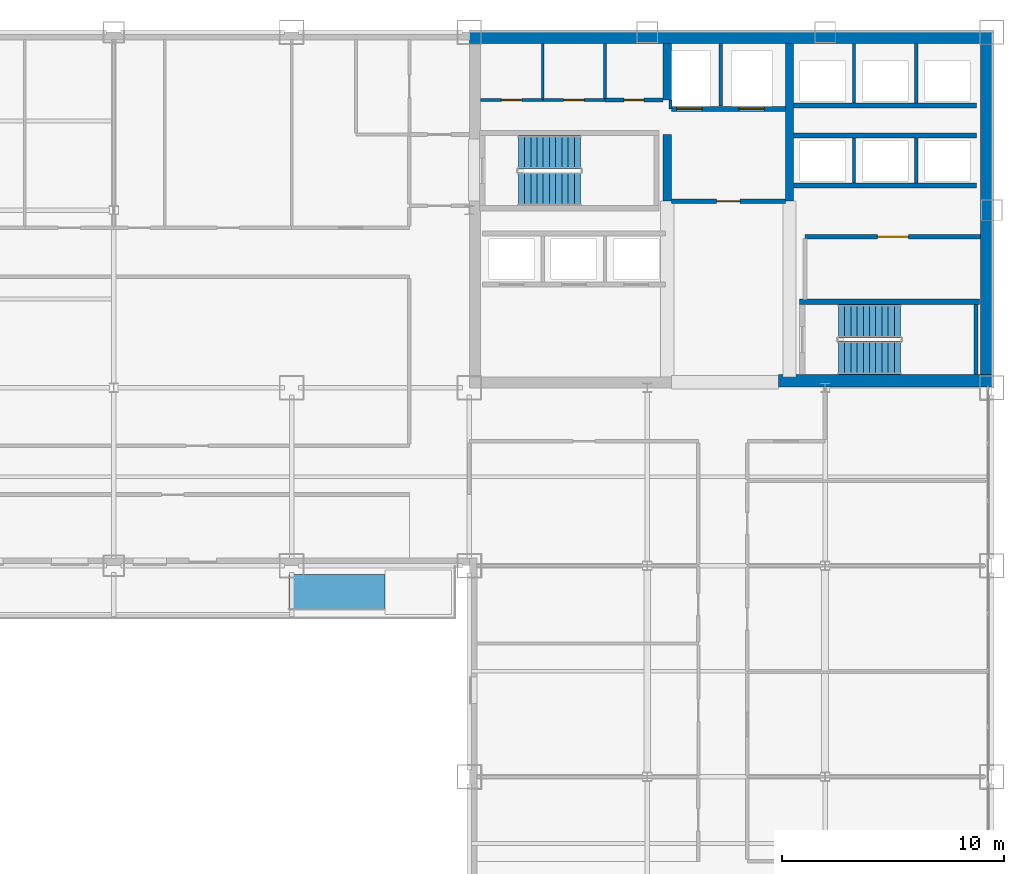
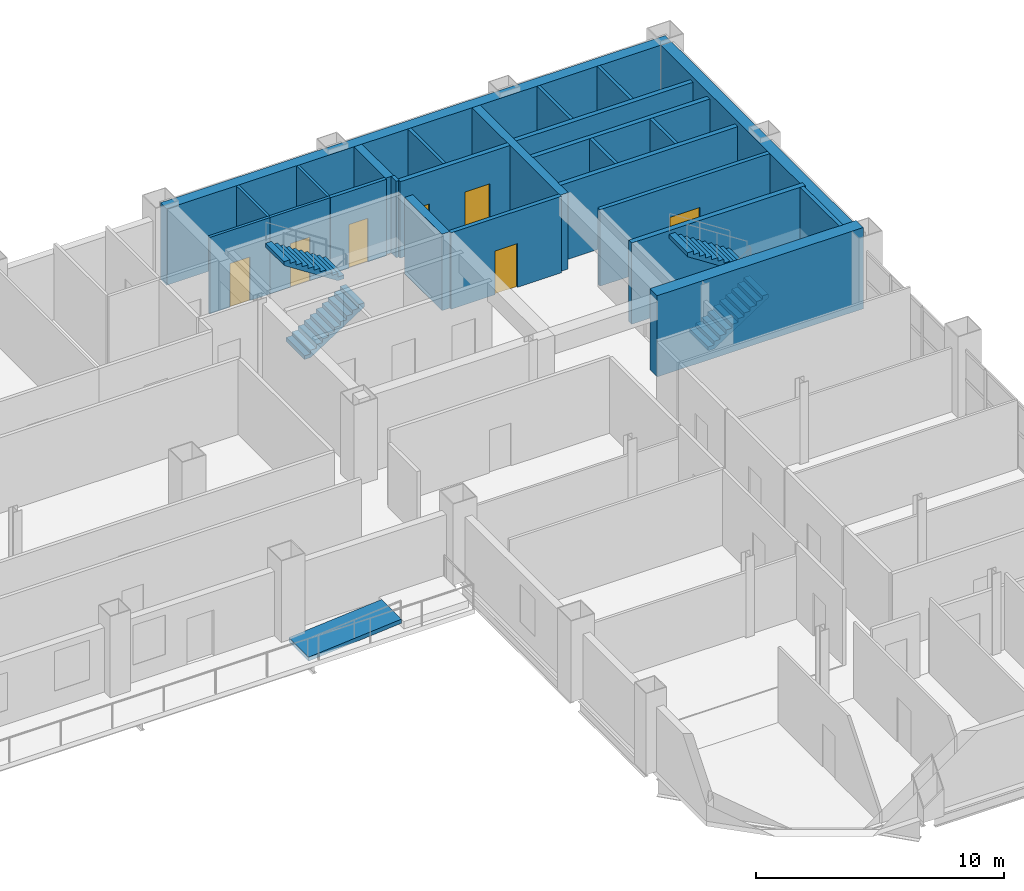
# One storey, part 14 of 16: 25 walls, 7 doors, 4 stair flights, 1 ramp flight, 7 openings, 3 elements without a shape of their own.
"""IFC4 building model written with IfcOpenShell, lengths in metres."""

from ifc_helpers import new_model, si_unit, direction, frame, frame_2d, origin, place, context, subcontext, project, spatial, polyline, rectangle, outline, extrude, material, layer, layer_set, type_object, element, fill, aggregate, save


model = new_model("IFC4")

# Units and contexts
model_context = context("Model", 3, precision=1e-05, world=origin(), true_north=direction((0.0, 1.0)))
body_context = subcontext(model_context, "Body", "Model", "MODEL_VIEW")
ifc_project = project(units=[si_unit("LENGTHUNIT", "METRE"), si_unit("AREAUNIT", "SQUARE_METRE"), si_unit("VOLUMEUNIT", "CUBIC_METRE"), si_unit("PLANEANGLEUNIT", "RADIAN"), si_unit("MASSUNIT", "GRAM", prefix="KILO")], contexts=[model_context])

# Site, building, storey
site_placement = place(None, origin())
site = spatial("IfcSite", under=ifc_project, at=site_placement, CompositionType="ELEMENT")
building_placement = place(site_placement, origin())
building = spatial("IfcBuilding", under=site, at=building_placement, Name="Qianrong Seaharbour Tower", CompositionType="ELEMENT")
storey_placement = place(building_placement, frame((0.0, 0.0, 123.0)))
storey = spatial("IfcBuildingStorey", under=building, at=storey_placement, Name="L29", CompositionType="ELEMENT", Elevation=123.0)

# Walls
ifc_material_1 = material(Name="Concrete C60/75", Category="concrete")
ifc_layer_1 = layer(ifc_material_1, 0.5)
ifc_layer_set_1 = layer_set([ifc_layer_1], Name="Concrete C60/75")
wall_type_1 = type_object("IfcWallType", Name="WALL-CORE-500", PredefinedType="SHEAR", material=ifc_layer_set_1)
wall_1_placement = place(storey_placement, frame((40.5, 51.75, 0.0), z_axis=(0.0, 0.0, 1.0), x_axis=(1.0, 0.0, 0.0)))
element("IfcWall", 1, at=wall_1_placement, inside=storey, type_object=wall_type_1, Name="L29 North Core Shear Wall", PredefinedType="SHEAR", context=body_context, shape_type="SweptSolid", body=[
    extrude(rectangle(XDim=23.5, YDim=0.5, at=frame_2d((11.75, 0.0))), origin(), (0.0, 0.0, 1.0), 3.764892578125),
])
wall_2_placement = place(storey_placement, frame((63.75, 36.320068359375, 0.0), z_axis=(0.0, 0.0, 1.0), x_axis=(0.0, 1.0, 0.0)))
element("IfcWall", 2, at=wall_2_placement, inside=storey, type_object=wall_type_1, Name="L29 East Core Shear Wall", PredefinedType="SHEAR", context=body_context, shape_type="SweptSolid", body=[
    extrude(rectangle(XDim=15.179931640625, YDim=0.5, at=frame_2d((7.58984375, 0.0))), origin(), (0.0, 0.0, 1.0), 3.764892578125),
])
ifc_material_2 = material(Name="Concrete C70/85", Category="concrete")
ifc_layer_2 = layer(ifc_material_2, 0.580078125)
ifc_layer_set_2 = layer_set([ifc_layer_2], Name="Concrete C70/85")
wall_type_2 = type_object("IfcWallType", Name="WALL-CORE-580", PredefinedType="SHEAR", material=ifc_layer_set_2)
wall_3_placement = place(storey_placement, frame((54.39990234375, 36.320068359375, 0.0), z_axis=(0.0, 0.0, 1.0), x_axis=(1.0, 0.0, 0.0)))
element("IfcWall", 3, at=wall_3_placement, inside=storey, type_object=wall_type_2, Name="L29 South Core Shear Wall S3", PredefinedType="SHEAR", context=body_context, shape_type="SweptSolid", body=[
    extrude(rectangle(XDim=9.60009765625, YDim=0.580078125, at=frame_2d((4.800048828125, 0.0))), origin(), (0.0, 0.0, 1.0), 4.0),
])
ifc_layer_3 = layer(ifc_material_1, 0.3798828125)
ifc_layer_set_3 = layer_set([ifc_layer_3], Name="Concrete C60/75")
wall_type_3 = type_object("IfcWallType", Name="WALL-CORE-INT-380", PredefinedType="SHEAR", material=ifc_layer_set_3)
wall_4_placement = place(storey_placement, frame((49.39990234375, 44.39990234375, 0.0), z_axis=(0.0, 0.0, 1.0), x_axis=(0.0, 1.0, 0.0)))
element("IfcWall", 4, at=wall_4_placement, inside=storey, type_object=wall_type_3, Name="L29 Internal Core Shear Wall IW1N1", PredefinedType="SHEAR", context=body_context, shape_type="SweptSolid", body=[
    extrude(rectangle(XDim=3.0, YDim=0.3798828125, at=frame_2d((1.5, 0.0))), origin(), (0.0, 0.0, 1.0), 3.764892578125),
])
wall_5_placement = place(storey_placement, frame((49.39990234375, 48.949951171875, 0.0), z_axis=(0.0, 0.0, 1.0), x_axis=(0.0, 1.0, 0.0)))
element("IfcWall", 5, at=wall_5_placement, inside=storey, type_object=wall_type_3, Name="L29 Internal Core Shear Wall IW1N2", PredefinedType="SHEAR", context=body_context, shape_type="SweptSolid", body=[
    extrude(rectangle(XDim=2.550048828125, YDim=0.3798828125, at=frame_2d((1.27490234375, 0.0))), origin(), (0.0, 0.0, 1.0), 3.764892578125),
])
wall_6_placement = place(storey_placement, frame((54.89990234375, 44.39990234375, 0.0), z_axis=(0.0, 0.0, 1.0), x_axis=(0.0, 1.0, 0.0)))
element("IfcWall", 6, at=wall_6_placement, inside=storey, type_object=wall_type_3, Name="L29 Internal Core Shear Wall IW2N", PredefinedType="SHEAR", context=body_context, shape_type="SweptSolid", body=[
    extrude(rectangle(XDim=7.10009765625, YDim=0.3798828125, at=frame_2d((3.550048828125, 0.0))), origin(), (0.0, 0.0, 1.0), 3.764892578125),
])

# Wall, opening, door
ifc_material_3 = material(Name="Fire-rated acoustic gypsum board partition")
ifc_layer_4 = layer(ifc_material_3, 0.1650390625)
ifc_layer_set_4 = layer_set([ifc_layer_4], Name="Fire-rated acoustic gypsum board partition")
wall_type_4 = type_object("IfcWallType", Name="WALL-CORR-PART-165", PredefinedType="PARTITIONING", material=ifc_layer_set_4)
wall_7_placement = place(storey_placement, frame((46.60009765625, 48.949951171875, 0.0), z_axis=(0.0, 0.0, 1.0), x_axis=(1.0, 0.0, 0.0)))
wall_7 = element("IfcWall", 7, at=wall_7_placement, inside=storey, type_object=wall_type_4, Name="L29 Interior Partition Wall 009", PredefinedType="PARTITIONING", context=body_context, shape_type="SweptSolid", body=[
    extrude(rectangle(XDim=2.617919921875, YDim=0.1650390625, at=frame_2d((1.30908203125, 0.0))), origin(), (0.0, 0.0, 1.0), 3.764892578125),
])
opening_1_placement = place(wall_7_placement, frame((0.85888671875, 0.0, 0.0)))
opening_1 = element("IfcOpeningElement", 8, at=opening_1_placement, cuts=wall_7, Name="Opening DS-01", PredefinedType="OPENING", context=body_context, shape_type="SweptSolid", body=[
    extrude(rectangle(XDim=0.89990234375, YDim=2.14990234375, at=frame_2d((0.449951171875, 1.074951171875))), frame((0.0, 0.092529296875, 0.0), z_axis=(0.0, -1.0, 0.0), x_axis=(1.0, 0.0, 0.0)), (0.0, 0.0, 1.0), 0.18505859375),
])
ifc_material_4 = material(Name="Acoustic timber and galvanized steel fire door assembly", Category="steel")
door_type_1 = type_object("IfcDoorType", Name="DOOR-STORE-900x2150", OperationType="NOTDEFINED", PredefinedType="DOOR", material=ifc_material_4)
door_1_placement = place(opening_1_placement, origin())
door_1 = element("IfcDoor", 9, at=door_1_placement, inside=storey, type_object=door_type_1, Name="L29 Cleaner Store Room Door", OperationType="SINGLE_SWING_LEFT", OverallHeight=2.14990234375, OverallWidth=0.89990234375, PredefinedType="DOOR", context=body_context, shape_type="SweptSolid", body=[
    extrude(rectangle(XDim=0.89990234375, YDim=2.14990234375, at=frame_2d((0.449951171875, 1.074951171875))), frame((0.0, 0.02490234375, 0.0), z_axis=(0.0, -1.0, 0.0), x_axis=(1.0, 0.0, 0.0)), (0.0, 0.0, 1.0), 0.050048828125),
])
fill(opening_1, door_1)

ifc_material_5 = material(Name="Double fire-rated gypsum board acoustic partition")
ifc_layer_5 = layer(ifc_material_5, 0.18994140625)
ifc_layer_set_5 = layer_set([ifc_layer_5], Name="Double fire-rated gypsum board acoustic partition")
wall_type_5 = type_object("IfcWallType", Name="WALL-FIRE-PART-190", PredefinedType="PARTITIONING", material=ifc_layer_set_5)
wall_8_placement = place(storey_placement, frame((54.718017578125, 44.39990234375, 0.0), z_axis=(0.0, 0.0, 1.0), x_axis=(-1.0, 0.0, 0.0)))
wall_8 = element("IfcWall", 10, at=wall_8_placement, inside=storey, type_object=wall_type_5, Name="L29 Interior Partition Wall 010", PredefinedType="PARTITIONING", context=body_context, shape_type="SweptSolid", body=[
    extrude(rectangle(XDim=5.135986328125, YDim=0.18994140625, at=frame_2d((2.56787109375, 0.0))), origin(), (0.0, 0.0, 1.0), 3.764892578125),
])
opening_2_placement = place(wall_8_placement, frame((2.04296875, 0.0, 0.0)))
opening_2 = element("IfcOpeningElement", 11, at=opening_2_placement, cuts=wall_8, Name="Opening DC-01", PredefinedType="OPENING", context=body_context, shape_type="SweptSolid", body=[
    extrude(rectangle(XDim=1.050048828125, YDim=2.14990234375, at=frame_2d((0.52490234375, 1.074951171875))), frame((0.0, 0.10498046875, 0.0), z_axis=(0.0, -1.0, 0.0), x_axis=(1.0, 0.0, 0.0)), (0.0, 0.0, 1.0), 0.2099609375),
])
door_type_2 = type_object("IfcDoorType", Name="DOOR-CORR-FD60-1050x2150", OperationType="NOTDEFINED", PredefinedType="DOOR", material=ifc_material_4)
door_2_placement = place(opening_2_placement, origin())
door_2 = element("IfcDoor", 12, at=door_2_placement, inside=storey, type_object=door_type_2, Name="L29 Firefighting Lift Lobby Door", OperationType="SINGLE_SWING_RIGHT", OverallHeight=2.14990234375, OverallWidth=1.050048828125, PredefinedType="DOOR", context=body_context, shape_type="SweptSolid", body=[
    extrude(rectangle(XDim=1.050048828125, YDim=2.14990234375, at=frame_2d((0.52490234375, 1.074951171875))), frame((0.0, 0.02490234375, 0.0), z_axis=(0.0, -1.0, 0.0), x_axis=(1.0, 0.0, 0.0)), (0.0, 0.0, 1.0), 0.050048828125),
])
fill(opening_2, door_2)

wall_9_placement = place(storey_placement, frame((63.5, 42.800048828125, 0.0), z_axis=(0.0, 0.0, 1.0), x_axis=(-1.0, 0.0, 0.0)))
wall_9 = element("IfcWall", 13, at=wall_9_placement, inside=storey, type_object=wall_type_5, Name="L29 Interior Partition Wall 012", PredefinedType="PARTITIONING", context=body_context, shape_type="SweptSolid", body=[
    extrude(rectangle(XDim=7.89990234375, YDim=0.18994140625, at=frame_2d((3.949951171875, 0.0))), origin(), (0.0, 0.0, 1.0), 3.764892578125),
])
opening_3_placement = place(wall_9_placement, frame((3.25, 0.0, 0.0)))
opening_3 = element("IfcOpeningElement", 14, at=opening_3_placement, cuts=wall_9, Name="Opening DP-01", PredefinedType="OPENING", context=body_context, shape_type="SweptSolid", body=[
    extrude(rectangle(XDim=1.39990234375, YDim=2.25, at=frame_2d((0.699951171875, 1.125))), frame((0.0, 0.10498046875, 0.0), z_axis=(0.0, -1.0, 0.0), x_axis=(1.0, 0.0, 0.0)), (0.0, 0.0, 1.0), 0.2099609375),
])
door_type_3 = type_object("IfcDoorType", Name="DOOR-PLANT-PAIR-1400x2250", OperationType="DOUBLE_DOOR_SINGLE_SWING", PredefinedType="DOOR", material=ifc_material_4)
door_3_placement = place(opening_3_placement, origin())
door_3 = element("IfcDoor", 15, at=door_3_placement, inside=storey, type_object=door_type_3, Name="L29 Core Telecom Hub Room Door", OperationType="DOUBLE_DOOR_SINGLE_SWING", OverallHeight=2.25, OverallWidth=1.39990234375, PredefinedType="DOOR", context=body_context, shape_type="SweptSolid", body=[
    extrude(rectangle(XDim=1.39990234375, YDim=2.25, at=frame_2d((0.699951171875, 1.125))), frame((0.0, 0.02490234375, 0.0), z_axis=(0.0, -1.0, 0.0), x_axis=(1.0, 0.0, 0.0)), (0.0, 0.0, 1.0), 0.050048828125),
])
fill(opening_3, door_3)

# Walls
ifc_material_6 = material(Name="Fire-rated gypsum board on steel studs", Category="steel")
ifc_layer_6 = layer(ifc_material_6, 0.14990234375)
ifc_layer_set_6 = layer_set([ifc_layer_6], Name="Fire-rated gypsum board on steel studs")
wall_type_6 = type_object("IfcWallType", Name="WALL-SHAFT-DIV-150", PredefinedType="PARTITIONING", material=ifc_layer_set_6)
wall_10_placement = place(storey_placement, frame((51.800048828125, 48.669921875, 0.0), z_axis=(0.0, 0.0, 1.0), x_axis=(0.0, 1.0, 0.0)))
element("IfcWall", 16, at=wall_10_placement, inside=storey, type_object=wall_type_6, Name="L29 Firefighting Lift Shaft Divider Wall", PredefinedType="PARTITIONING", context=body_context, shape_type="SweptSolid", body=[
    extrude(rectangle(XDim=2.830078125, YDim=0.14990234375, at=frame_2d((1.4150390625, 0.0))), origin(), (0.0, 0.0, 1.0), 3.764892578125),
])
wall_11_placement = place(storey_placement, frame((49.550048828125, 48.550048828125, 0.0), z_axis=(0.0, 0.0, 1.0), x_axis=(0.0, 1.0, 0.0)))
element("IfcWall", 17, at=wall_11_placement, inside=storey, type_object=wall_type_6, Name="L29 Firefighting Lift Shaft West Return Wall", PredefinedType="PARTITIONING", context=body_context, shape_type="SweptSolid", body=[
    extrude(rectangle(XDim=0.39990234375, YDim=0.14990234375, at=frame_2d((0.199951171875, 0.0))), origin(), (0.0, 0.0, 1.0), 3.764892578125),
])
for number, where, z_axis, x_axis, name in (
    (18, (57.800048828125, 45.2099609375, 0.0), (0.0, 0.0, 1.0), (0.0, 1.0, 0.0), "L29 P3 Lift Hoistway Divider 2"),
    (19, (60.60009765625, 45.2099609375, 0.0), (0.0, 0.0, 1.0), (0.0, 1.0, 0.0), "L29 P3 Lift Hoistway Divider 3"),
):
    element("IfcWall", number, at=place(storey_placement, frame(where, z_axis=z_axis, x_axis=x_axis)), inside=storey, type_object=wall_type_6, Name=name, PredefinedType="PARTITIONING", context=body_context, shape_type="SweptSolid", body=[
        extrude(rectangle(XDim=2.030029296875, YDim=0.14990234375, at=frame_2d((1.01513671875, 0.0))), origin(), (0.0, 0.0, 1.0), 3.764892578125),
    ])
for number, where, z_axis, x_axis, name in (
    (20, (57.800048828125, 48.81005859375, 0.0), (0.0, 0.0, 1.0), (0.0, 1.0, 0.0), "L29 P4 Lift Hoistway Divider 2"),
    (21, (60.60009765625, 48.81005859375, 0.0), (0.0, 0.0, 1.0), (0.0, 1.0, 0.0), "L29 P4 Lift Hoistway Divider 3"),
):
    element("IfcWall", number, at=place(storey_placement, frame(where, z_axis=z_axis, x_axis=x_axis)), inside=storey, type_object=wall_type_6, Name=name, PredefinedType="PARTITIONING", context=body_context, shape_type="SweptSolid", body=[
        extrude(rectangle(XDim=2.68994140625, YDim=0.14990234375, at=frame_2d((1.344970703125, 0.0))), origin(), (0.0, 0.0, 1.0), 3.764892578125),
    ])

# Wall, openings, doors
ifc_layer_7 = layer(ifc_material_6, 0.219970703125)
ifc_layer_set_7 = layer_set([ifc_layer_7], Name="Fire-rated gypsum board on steel studs")
wall_type_7 = type_object("IfcWallType", Name="WALL-SHAFT-GYP220", PredefinedType="PARTITIONING", material=ifc_layer_set_7)
wall_12_placement = place(storey_placement, frame((54.7099609375, 48.550048828125, 0.0), z_axis=(0.0, 0.0, 1.0), x_axis=(-1.0, 0.0, 0.0)))
wall_12 = element("IfcWall", 22, at=wall_12_placement, inside=storey, type_object=wall_type_7, Name="L29 Firefighting Lift Shaft Front Wall", PredefinedType="PARTITIONING", context=body_context, shape_type="SweptSolid", body=[
    extrude(rectangle(XDim=5.119873046875, YDim=0.219970703125, at=frame_2d((2.56005859375, 0.0))), origin(), (0.0, 0.0, 1.0), 3.764892578125),
])
opening_4_placement = place(wall_12_placement, frame((3.735107421875, 0.0, 0.0)))
opening_4 = element("IfcOpeningElement", 23, at=opening_4_placement, cuts=wall_12, Name="Opening LD-01", PredefinedType="OPENING", context=body_context, shape_type="SweptSolid", body=[
    extrude(rectangle(XDim=1.14990234375, YDim=2.199951171875, at=frame_2d((0.574951171875, 1.10009765625))), frame((0.0, 0.1201171875, 0.0), z_axis=(0.0, -1.0, 0.0), x_axis=(1.0, 0.0, 0.0)), (0.0, 0.0, 1.0), 0.239990234375),
])
opening_5_placement = place(wall_12_placement, frame((0.93505859375, 0.0, 0.0)))
opening_5 = element("IfcOpeningElement", 24, at=opening_5_placement, cuts=wall_12, Name="Opening LD-01", PredefinedType="OPENING", context=body_context, shape_type="SweptSolid", body=[
    extrude(rectangle(XDim=1.14990234375, YDim=2.199951171875, at=frame_2d((0.574951171875, 1.10009765625))), frame((0.0, 0.1201171875, 0.0), z_axis=(0.0, -1.0, 0.0), x_axis=(1.0, 0.0, 0.0)), (0.0, 0.0, 1.0), 0.239990234375),
])
ifc_material_7 = material(Name="Stainless steel SUS316L bi-parting lift landing door", Category="steel")
door_type_4 = type_object("IfcDoorType", Name="DOOR-LIFT-FF-1150x2200", OperationType="DOUBLE_DOOR_SLIDING", PredefinedType="DOOR", material=ifc_material_7)
door_4_placement = place(opening_4_placement, origin())
door_4 = element("IfcDoor", 25, at=door_4_placement, inside=storey, type_object=door_type_4, Name="L29 FL-1 Firefighting Lift Landing Door", OperationType="DOUBLE_DOOR_SLIDING", OverallHeight=2.199951171875, OverallWidth=1.14990234375, PredefinedType="DOOR", context=body_context, shape_type="SweptSolid", body=[
    extrude(rectangle(XDim=1.14990234375, YDim=2.199951171875, at=frame_2d((0.574951171875, 1.10009765625))), frame((0.0, 0.02490234375, 0.0), z_axis=(0.0, -1.0, 0.0), x_axis=(1.0, 0.0, 0.0)), (0.0, 0.0, 1.0), 0.050048828125),
])
fill(opening_4, door_4)
door_5_placement = place(opening_5_placement, origin())
door_5 = element("IfcDoor", 26, at=door_5_placement, inside=storey, type_object=door_type_4, Name="L29 FL-2 Firefighting Lift Landing Door", OperationType="DOUBLE_DOOR_SLIDING", OverallHeight=2.199951171875, OverallWidth=1.14990234375, PredefinedType="DOOR", context=body_context, shape_type="SweptSolid", body=[
    extrude(rectangle(XDim=1.14990234375, YDim=2.199951171875, at=frame_2d((0.574951171875, 1.10009765625))), frame((0.0, 0.02490234375, 0.0), z_axis=(0.0, -1.0, 0.0), x_axis=(1.0, 0.0, 0.0)), (0.0, 0.0, 1.0), 0.050048828125),
])
fill(opening_5, door_5)

# Walls
for number, where, z_axis, x_axis, name in (
    (27, (63.320068359375, 45.10009765625, 0.0), (0.0, 0.0, 1.0), (-1.0, 0.0, 0.0), "L29 P3 Lift Hoistway Front Wall"),
    (28, (55.080078125, 47.35009765625, 0.0), (0.0, 0.0, 1.0), (1.0, 0.0, 0.0), "L29 P3 Lift Hoistway Back Wall"),
    (29, (63.320068359375, 48.699951171875, 0.0), (0.0, 0.0, 1.0), (-1.0, 0.0, 0.0), "L29 P4 Lift Hoistway Front Wall"),
):
    element("IfcWall", number, at=place(storey_placement, frame(where, z_axis=z_axis, x_axis=x_axis)), inside=storey, type_object=wall_type_7, Name=name, PredefinedType="PARTITIONING", context=body_context, shape_type="SweptSolid", body=[
        extrude(rectangle(XDim=8.239990234375, YDim=0.219970703125, at=frame_2d((4.1201171875, 0.0))), origin(), (0.0, 0.0, 1.0), 3.764892578125),
    ])
ifc_material_8 = material(Name="Concrete C50/60", Category="concrete")
ifc_layer_8 = layer(ifc_material_8, 0.239990234375)
ifc_layer_set_8 = layer_set([ifc_layer_8], Name="Concrete C50/60")
wall_type_8 = type_object("IfcWallType", Name="WALL-SHAFT-RC240", PredefinedType="SOLIDWALL", material=ifc_layer_set_8)
wall_13_placement = place(storey_placement, frame((55.360107421875, 39.8701171875, 0.0), z_axis=(0.0, 0.0, 1.0), x_axis=(1.0, 0.0, 0.0)))
element("IfcWall", 30, at=wall_13_placement, inside=storey, type_object=wall_type_8, Name="L29 ST-2 Structural Stair Core Wall N", PredefinedType="SOLIDWALL", context=body_context, shape_type="SweptSolid", body=[
    extrude(rectangle(XDim=8.079833984375, YDim=0.239990234375, at=frame_2d((4.0400390625, 0.0))), origin(), (0.0, 0.0, 1.0), 4.0),
])
wall_14_placement = place(storey_placement, frame((63.2900390625, 36.60009765625, 0.0), z_axis=(0.0, 0.0, 1.0), x_axis=(0.0, 1.0, 0.0)))
element("IfcWall", 31, at=wall_14_placement, inside=storey, type_object=wall_type_8, Name="L29 ST-2 Structural Stair Core Wall E", PredefinedType="SOLIDWALL", context=body_context, shape_type="SweptSolid", body=[
    extrude(rectangle(XDim=3.14990234375, YDim=0.179931640625, at=frame_2d((1.574951171875, 0.0))), origin(), (0.0, 0.0, 1.0), 4.0),
])

# Wall, opening, door
ifc_material_9 = material(Name="Water-resistant cement board sanitary partition")
ifc_layer_9 = layer(ifc_material_9, 0.1298828125)
ifc_layer_set_9 = layer_set([ifc_layer_9], Name="Water-resistant cement board sanitary partition")
wall_type_9 = type_object("IfcWallType", Name="WALL-WET-PART-130", PredefinedType="PARTITIONING", material=ifc_layer_set_9)
wall_15_placement = place(storey_placement, frame((41.0, 48.949951171875, 0.0), z_axis=(0.0, 0.0, 1.0), x_axis=(1.0, 0.0, 0.0)))
wall_15 = element("IfcWall", 32, at=wall_15_placement, inside=storey, type_object=wall_type_9, Name="L29 Interior Partition Wall 007", PredefinedType="PARTITIONING", context=body_context, shape_type="SweptSolid", body=[
    extrude(rectangle(XDim=2.800048828125, YDim=0.1298828125, at=frame_2d((1.39990234375, 0.0))), origin(), (0.0, 0.0, 1.0), 3.764892578125),
])
opening_6_placement = place(wall_15_placement, frame((0.93994140625, 0.0, 0.0)))
opening_6 = element("IfcOpeningElement", 33, at=opening_6_placement, cuts=wall_15, Name="Opening DW-01", PredefinedType="OPENING", context=body_context, shape_type="SweptSolid", body=[
    extrude(rectangle(XDim=0.919921875, YDim=2.14990234375, at=frame_2d((0.4599609375, 1.074951171875))), frame((0.0, 0.074951171875, 0.0), z_axis=(0.0, -1.0, 0.0), x_axis=(1.0, 0.0, 0.0)), (0.0, 0.0, 1.0), 0.14990234375),
])
door_type_5 = type_object("IfcDoorType", Name="DOOR-WC-920x2150", OperationType="NOTDEFINED", PredefinedType="DOOR", material=ifc_material_4)
door_6_placement = place(opening_6_placement, origin())
door_6 = element("IfcDoor", 34, at=door_6_placement, inside=storey, type_object=door_type_5, Name="L29 Male Restroom WC Door", OperationType="SINGLE_SWING_LEFT", OverallHeight=2.14990234375, OverallWidth=0.919921875, PredefinedType="DOOR", context=body_context, shape_type="SweptSolid", body=[
    extrude(rectangle(XDim=0.919921875, YDim=2.14990234375, at=frame_2d((0.4599609375, 1.074951171875))), frame((0.0, 0.02490234375, 0.0), z_axis=(0.0, -1.0, 0.0), x_axis=(1.0, 0.0, 0.0)), (0.0, 0.0, 1.0), 0.050048828125),
])
fill(opening_6, door_6)

wall_16_placement = place(storey_placement, frame((43.800048828125, 48.949951171875, 0.0), z_axis=(0.0, 0.0, 1.0), x_axis=(1.0, 0.0, 0.0)))
wall_16 = element("IfcWall", 35, at=wall_16_placement, inside=storey, type_object=wall_type_9, Name="L29 Interior Partition Wall 008", PredefinedType="PARTITIONING", context=body_context, shape_type="SweptSolid", body=[
    extrude(rectangle(XDim=2.800048828125, YDim=0.1298828125, at=frame_2d((1.39990234375, 0.0))), origin(), (0.0, 0.0, 1.0), 3.764892578125),
])
opening_7_placement = place(wall_16_placement, frame((0.93994140625, 0.0, 0.0)))
opening_7 = element("IfcOpeningElement", 36, at=opening_7_placement, cuts=wall_16, Name="Opening DW-01", PredefinedType="OPENING", context=body_context, shape_type="SweptSolid", body=[
    extrude(rectangle(XDim=0.919921875, YDim=2.14990234375, at=frame_2d((0.4599609375, 1.074951171875))), frame((0.0, 0.074951171875, 0.0), z_axis=(0.0, -1.0, 0.0), x_axis=(1.0, 0.0, 0.0)), (0.0, 0.0, 1.0), 0.14990234375),
])
door_7_placement = place(opening_7_placement, origin())
door_7 = element("IfcDoor", 37, at=door_7_placement, inside=storey, type_object=door_type_5, Name="L29 Female Restroom WC Door", OperationType="SINGLE_SWING_RIGHT", OverallHeight=2.14990234375, OverallWidth=0.919921875, PredefinedType="DOOR", context=body_context, shape_type="SweptSolid", body=[
    extrude(rectangle(XDim=0.919921875, YDim=2.14990234375, at=frame_2d((0.4599609375, 1.074951171875))), frame((0.0, 0.02490234375, 0.0), z_axis=(0.0, -1.0, 0.0), x_axis=(1.0, 0.0, 0.0)), (0.0, 0.0, 1.0), 0.050048828125),
])
fill(opening_7, door_7)

# Walls
wall_17_placement = place(storey_placement, frame((43.800048828125, 51.5, 0.0), z_axis=(0.0, 0.0, 1.0), x_axis=(0.0, -1.0, 0.0)))
element("IfcWall", 38, at=wall_17_placement, inside=storey, type_object=wall_type_9, Name="L29 Interior Partition Wall 013", PredefinedType="PARTITIONING", context=body_context, shape_type="SweptSolid", body=[
    extrude(rectangle(XDim=2.492919921875, YDim=0.1298828125, at=frame_2d((1.24658203125, 0.0))), origin(), (0.0, 0.0, 1.0), 3.764892578125),
])
wall_18_placement = place(storey_placement, frame((46.60009765625, 51.5, 0.0), z_axis=(0.0, 0.0, 1.0), x_axis=(0.0, -1.0, 0.0)))
element("IfcWall", 39, at=wall_18_placement, inside=storey, type_object=wall_type_9, Name="L29 Interior Partition Wall 014", PredefinedType="PARTITIONING", context=body_context, shape_type="SweptSolid", body=[
    extrude(rectangle(XDim=2.4755859375, YDim=0.1298828125, at=frame_2d((1.23779296875, 0.0))), origin(), (0.0, 0.0, 1.0), 3.764892578125),
])

# Stair, stair flights
stair_type = type_object("IfcStairType", Name="STAIR-DOGLEG-1500-R22", PredefinedType="HALF_TURN_STAIR", material=ifc_material_8)
stair_1_placement = place(storey_placement, origin())
stair_1 = element("IfcStair", 40, at=stair_1_placement, inside=storey, type_object=stair_type, Name="L29 Protected Escape Stair ST-1", PredefinedType="HALF_TURN_STAIR")
stair_flight_type = type_object("IfcStairFlightType", Name="FLIGHT-STR-1500-R22", PredefinedType="STRAIGHT", material=ifc_material_8)
stair_flight_1_placement = place(storey_placement, frame((42.699951171875, 44.949951171875, 0.0), z_axis=(0.0, 0.0, 1.0), x_axis=(1.0, 0.0, 0.0)))
stair_flight_1 = element("IfcStairFlight", 41, at=stair_flight_1_placement, type_object=stair_flight_type, Name="ST-1 flight 1", NumberOfRisers=11, NumberOfTreads=10, PredefinedType="STRAIGHT", RiserHeight=0.181818182, TreadLength=0.28, context=body_context, shape_type="SweptSolid", body=[
    extrude(outline(polyline([(0.0, 0.0), (0.0, 0.181884765625), (0.280029296875, 0.181884765625), (0.280029296875, 0.363525390625), (0.56005859375, 0.363525390625), (0.56005859375, 0.54541015625), (0.840087890625, 0.54541015625), (0.840087890625, 0.727294921875), (1.1201171875, 0.727294921875), (1.1201171875, 0.9091796875), (1.39990234375, 0.9091796875), (1.39990234375, 1.0908203125), (1.679931640625, 1.0908203125), (1.679931640625, 1.272705078125), (1.9599609375, 1.272705078125), (1.9599609375, 1.45458984375), (2.239990234375, 1.45458984375), (2.239990234375, 1.636474609375), (2.52001953125, 1.636474609375), (2.52001953125, 1.818115234375), (2.800048828125, 1.818115234375), (2.800048828125, 2.0), (2.800048828125, 1.62744140625), (0.293701171875, 0.0), (0.0, 0.0)])), frame((0.0, 0.75, 0.0), z_axis=(0.0, -1.0, 0.0), x_axis=(1.0, 0.0, 0.0)), (0.0, 0.0, 1.0), 1.5),
])
stair_flight_2_placement = place(storey_placement, frame((45.5, 46.60009765625, 2.0), z_axis=(0.0, 0.0, 1.0), x_axis=(-1.0, 0.0, 0.0)))
stair_flight_2 = element("IfcStairFlight", 42, at=stair_flight_2_placement, type_object=stair_flight_type, Name="ST-1 flight 2", NumberOfRisers=11, NumberOfTreads=10, PredefinedType="STRAIGHT", RiserHeight=0.181818182, TreadLength=0.28, context=body_context, shape_type="SweptSolid", body=[
    extrude(outline(polyline([(0.0, 0.0), (0.0, 0.181884765625), (0.280029296875, 0.181884765625), (0.280029296875, 0.363525390625), (0.56005859375, 0.363525390625), (0.56005859375, 0.54541015625), (0.840087890625, 0.54541015625), (0.840087890625, 0.727294921875), (1.1201171875, 0.727294921875), (1.1201171875, 0.9091796875), (1.39990234375, 0.9091796875), (1.39990234375, 1.0908203125), (1.679931640625, 1.0908203125), (1.679931640625, 1.272705078125), (1.9599609375, 1.272705078125), (1.9599609375, 1.45458984375), (2.239990234375, 1.45458984375), (2.239990234375, 1.636474609375), (2.52001953125, 1.636474609375), (2.52001953125, 1.818115234375), (2.800048828125, 1.818115234375), (2.800048828125, 2.0), (2.800048828125, 1.62744140625), (0.293701171875, 0.0), (0.0, 0.0)])), frame((0.0, 0.75, 0.0), z_axis=(0.0, -1.0, 0.0), x_axis=(1.0, 0.0, 0.0)), (0.0, 0.0, 1.0), 1.5),
])
aggregate(stair_1, [stair_flight_1, stair_flight_2])

stair_2_placement = place(storey_placement, origin())
stair_2 = element("IfcStair", 43, at=stair_2_placement, inside=storey, type_object=stair_type, Name="L29 Protected Escape Stair ST-2", PredefinedType="HALF_TURN_STAIR")
stair_flight_3_placement = place(storey_placement, frame((57.10009765625, 37.35009765625, 0.0), z_axis=(0.0, 0.0, 1.0), x_axis=(1.0, 0.0, 0.0)))
stair_flight_3 = element("IfcStairFlight", 44, at=stair_flight_3_placement, type_object=stair_flight_type, Name="ST-2 flight 1", NumberOfRisers=11, NumberOfTreads=10, PredefinedType="STRAIGHT", RiserHeight=0.181818182, TreadLength=0.28, context=body_context, shape_type="SweptSolid", body=[
    extrude(outline(polyline([(0.0, 0.0), (0.0, 0.181884765625), (0.280029296875, 0.181884765625), (0.280029296875, 0.363525390625), (0.56005859375, 0.363525390625), (0.56005859375, 0.54541015625), (0.840087890625, 0.54541015625), (0.840087890625, 0.727294921875), (1.1201171875, 0.727294921875), (1.1201171875, 0.9091796875), (1.39990234375, 0.9091796875), (1.39990234375, 1.0908203125), (1.679931640625, 1.0908203125), (1.679931640625, 1.272705078125), (1.9599609375, 1.272705078125), (1.9599609375, 1.45458984375), (2.239990234375, 1.45458984375), (2.239990234375, 1.636474609375), (2.52001953125, 1.636474609375), (2.52001953125, 1.818115234375), (2.800048828125, 1.818115234375), (2.800048828125, 2.0), (2.800048828125, 1.62744140625), (0.293701171875, 0.0), (0.0, 0.0)])), frame((0.0, 0.75, 0.0), z_axis=(0.0, -1.0, 0.0), x_axis=(1.0, 0.0, 0.0)), (0.0, 0.0, 1.0), 1.5),
])
stair_flight_4_placement = place(storey_placement, frame((59.89990234375, 39.0, 2.0), z_axis=(0.0, 0.0, 1.0), x_axis=(-1.0, 0.0, 0.0)))
stair_flight_4 = element("IfcStairFlight", 45, at=stair_flight_4_placement, type_object=stair_flight_type, Name="ST-2 flight 2", NumberOfRisers=11, NumberOfTreads=10, PredefinedType="STRAIGHT", RiserHeight=0.181818182, TreadLength=0.28, context=body_context, shape_type="SweptSolid", body=[
    extrude(outline(polyline([(0.0, 0.0), (0.0, 0.181884765625), (0.280029296875, 0.181884765625), (0.280029296875, 0.363525390625), (0.56005859375, 0.363525390625), (0.56005859375, 0.54541015625), (0.840087890625, 0.54541015625), (0.840087890625, 0.727294921875), (1.1201171875, 0.727294921875), (1.1201171875, 0.9091796875), (1.39990234375, 0.9091796875), (1.39990234375, 1.0908203125), (1.679931640625, 1.0908203125), (1.679931640625, 1.272705078125), (1.9599609375, 1.272705078125), (1.9599609375, 1.45458984375), (2.239990234375, 1.45458984375), (2.239990234375, 1.636474609375), (2.52001953125, 1.636474609375), (2.52001953125, 1.818115234375), (2.800048828125, 1.818115234375), (2.800048828125, 2.0), (2.800048828125, 1.62744140625), (0.293701171875, 0.0), (0.0, 0.0)])), frame((0.0, 0.75, 0.0), z_axis=(0.0, -1.0, 0.0), x_axis=(1.0, 0.0, 0.0)), (0.0, 0.0, 1.0), 1.5),
])
aggregate(stair_2, [stair_flight_3, stair_flight_4])

# Ramp, ramp flight
ifc_material_10 = material(Name="White architectural precast concrete C45/55", Category="concrete")
ramp_type = type_object("IfcRampType", Name="RAMP-RIBBON-GARDEN", PredefinedType="STRAIGHT_RUN_RAMP", material=ifc_material_10)
ramp_placement = place(storey_placement, origin())
ramp = element("IfcRamp", 46, at=ramp_placement, inside=storey, type_object=ramp_type, Name="L29 Harbourfront Garden Ribbon Ramp", PredefinedType="STRAIGHT_RUN_RAMP")
ifc_layer_10 = layer(ifc_material_10, 0.199951171875)
ifc_layer_set_10 = layer_set([ifc_layer_10], Name="White architectural precast concrete C45/55")
ramp_flight_type = type_object("IfcRampFlightType", Name="RAMP-FLIGHT-GARDEN-200", PredefinedType="STRAIGHT", material=ifc_layer_set_10)
ramp_flight_placement = place(storey_placement, frame((32.3798828125, 26.800048828125, 0.0), z_axis=(0.0, 0.0, 1.0), x_axis=(1.0, 0.0, 0.0)))
ramp_flight = element("IfcRampFlight", 47, at=ramp_flight_placement, type_object=ramp_flight_type, Name="L29 Harbourfront Garden Ribbon Ramp Flight", PredefinedType="STRAIGHT", context=body_context, shape_type="SweptSolid", body=[
    extrude(outline(polyline([(0.0, 0.0), (4.320068359375, 0.360107421875), (4.320068359375, 0.16015625), (0.0, -0.199951171875), (0.0, 0.0)])), frame((0.0, 0.800048828125, 0.0), z_axis=(0.0, -1.0, 0.0), x_axis=(1.0, 0.0, 0.0)), (0.0, 0.0, 1.0), 1.60009765625),
])
aggregate(ramp, [ramp_flight])

save(model, "model.ifc")
